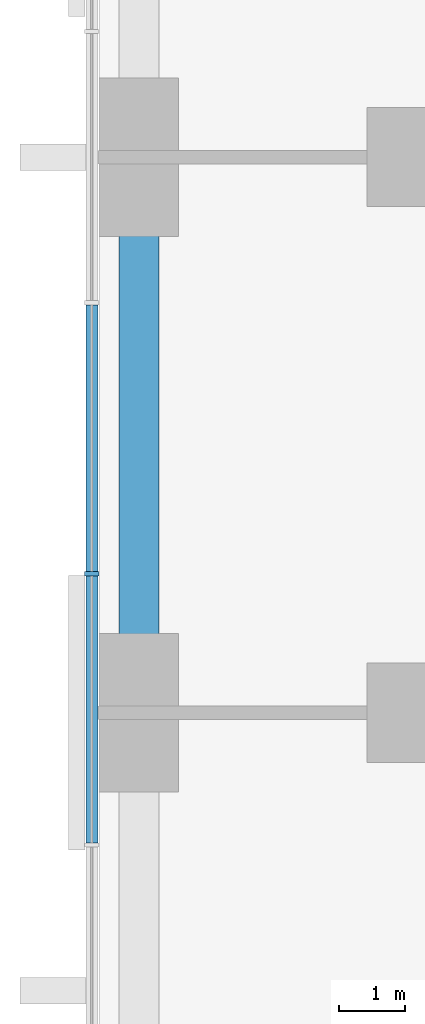
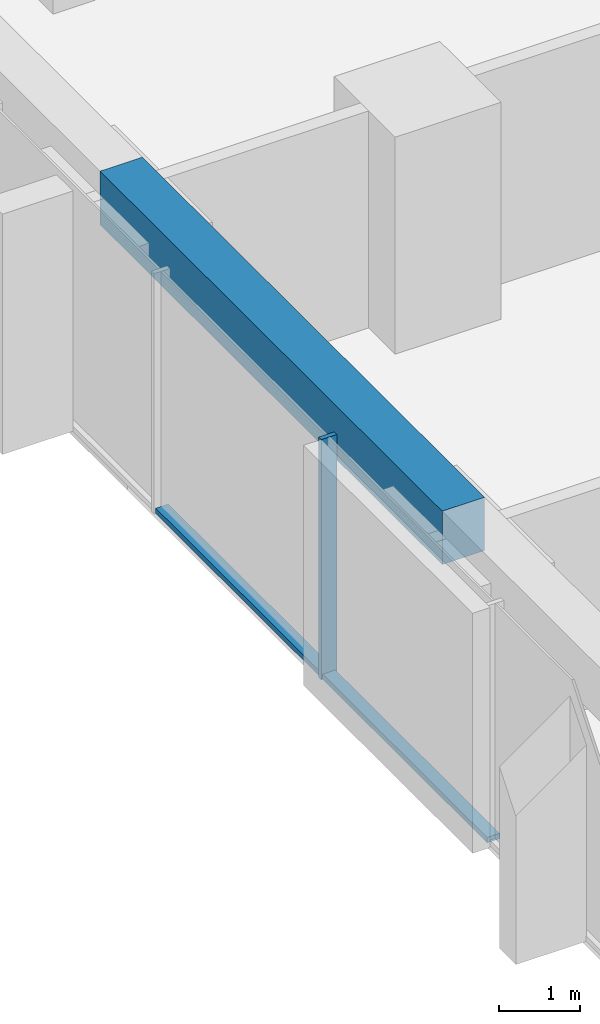
# One storey, part 3 of 13: 3 members, 1 beam, 1 element without a shape of its own.
"""IFC4 building model written with IfcOpenShell, lengths in metres."""

from ifc_helpers import new_model, si_unit, direction, frame, origin, origin_2d, place, context, subcontext, project, spatial, rectangle, extrude, material, material_profile, profile_set, type_object, element, aggregate, save


model = new_model("IFC4")

# Units and contexts
model_context = context("Model", 3, precision=1e-05, world=origin(), true_north=direction((0.0, 1.0)))
body_context = subcontext(model_context, "Body", "Model", "MODEL_VIEW")
ifc_project = project(units=[si_unit("LENGTHUNIT", "METRE"), si_unit("AREAUNIT", "SQUARE_METRE"), si_unit("VOLUMEUNIT", "CUBIC_METRE"), si_unit("PLANEANGLEUNIT", "RADIAN"), si_unit("MASSUNIT", "GRAM", prefix="KILO")], contexts=[model_context])

# Site, building, storey
site_placement = place(None, origin())
site = spatial("IfcSite", under=ifc_project, at=site_placement, CompositionType="ELEMENT")
building_placement = place(site_placement, origin())
building = spatial("IfcBuilding", under=site, at=building_placement, Name="Dunama Terrace Hotel", CompositionType="ELEMENT")
storey_placement = place(building_placement, frame((0.0, 0.0, 115.199951171875)))
storey = spatial("IfcBuildingStorey", under=building, at=storey_placement, Name="L29", CompositionType="ELEMENT", Elevation=115.199951171875)

# Curtain wall, members
ifc_material_1 = material(Name="Aluminium curtain wall system", Category="aluminium")
curtain_wall_type = type_object("IfcCurtainWallType", Name="Unitised fritted glass wall CW-B", PredefinedType="NOTDEFINED", material=ifc_material_1)
curtain_wall_placement = place(storey_placement, origin())
curtain_wall = element("IfcCurtainWall", 1, at=curtain_wall_placement, inside=storey, type_object=curtain_wall_type, Name="Unitised fritted glass wall CW-B L29", PredefinedType="NOTDEFINED")
ifc_material_2 = material(Name="Aluminium mullion", Category="aluminium")
ifc_material_profile_1 = material_profile(ifc_material_2, rectangle(XDim=0.06494140625, YDim=0.219970703125, at=origin_2d()), Name="CWB MULLION 65X220")
ifc_profile_set_1 = profile_set([ifc_material_profile_1], Name="Aluminium mullion")
member_type_1 = type_object("IfcMemberType", Name="CWB mullion 65x220", PredefinedType="MULLION", material=ifc_profile_set_1)
member_1_placement = place(storey_placement, frame((-0.110107421875, 27.300048828125, 0.0), z_axis=(0.0, 0.0, 1.0), x_axis=(0.0, -1.0, 0.0)))
member_1 = element("IfcMember", 2, at=member_1_placement, type_object=member_type_1, Name="CWB mullion", PredefinedType="MULLION", context=body_context, shape_type="SweptSolid", body=[
    extrude(rectangle(XDim=0.06494140625, YDim=0.219970703125, at=origin_2d()), origin(), (0.0, 0.0, 1.0), 3.60009765625),
])
ifc_material_3 = material(Name="Aluminium transom", Category="aluminium")
ifc_material_profile_2 = material_profile(ifc_material_3, rectangle(XDim=0.179931640625, YDim=0.080078125, at=origin_2d()), Name="CWB TRANSOM 180X80")
ifc_profile_set_2 = profile_set([ifc_material_profile_2], Name="Aluminium transom")
member_type_2 = type_object("IfcMemberType", Name="CWB transom 180x80", PredefinedType="USERDEFINED", material=ifc_profile_set_2)
member_2_placement = place(storey_placement, frame((-0.110107421875, 31.366943359375, 0.0400390625), z_axis=(0.0, -1.0, 0.0), x_axis=(1.0, 0.0, 0.0)))
member_2 = element("IfcMember", 3, at=member_2_placement, type_object=member_type_2, Name="CWB transom", ObjectType="TRANSOM", PredefinedType="USERDEFINED", context=body_context, shape_type="SweptSolid", body=[
    extrude(rectangle(XDim=0.179931640625, YDim=0.080078125, at=origin_2d()), origin(), (0.0, 0.0, 1.0), 4.034912109375),
])
member_3_placement = place(storey_placement, frame((-0.110107421875, 27.26806640625, 0.0400390625), z_axis=(0.0, -1.0, 0.0), x_axis=(1.0, 0.0, 0.0)))
member_3 = element("IfcMember", 4, at=member_3_placement, type_object=member_type_2, Name="CWB transom", ObjectType="TRANSOM", PredefinedType="USERDEFINED", context=body_context, shape_type="SweptSolid", body=[
    extrude(rectangle(XDim=0.179931640625, YDim=0.080078125, at=origin_2d()), origin(), (0.0, 0.0, 1.0), 4.03515625),
])
aggregate(curtain_wall, [member_1, member_2, member_3])

# Beam
ifc_material_4 = material(Name="Concrete C40/50", Category="concrete")
ifc_material_profile_3 = material_profile(ifc_material_4, rectangle(XDim=0.60009765625, YDim=0.800048828125, at=origin_2d()), Name="RC 600x800")
ifc_profile_set_3 = profile_set([ifc_material_profile_3], Name="Concrete C40/50")
beam_type = type_object("IfcBeamType", Name="Edge beam RC 600x800", PredefinedType="SPANDREL", material=ifc_profile_set_3)
beam_placement = place(storey_placement, frame((0.60009765625, 25.199951171875, 3.199951171875), z_axis=(0.0, 1.0, 0.0), x_axis=(-1.0, 0.0, 0.0)))
element("IfcBeam", 5, at=beam_placement, inside=storey, type_object=beam_type, Name="Edge beam under L30", PredefinedType="SPANDREL", context=body_context, shape_type="SweptSolid", body=[
    extrude(rectangle(XDim=0.60009765625, YDim=0.800048828125, at=origin_2d()), origin(), (0.0, 0.0, 1.0), 8.400146484375),
])

save(model, "model.ifc")
